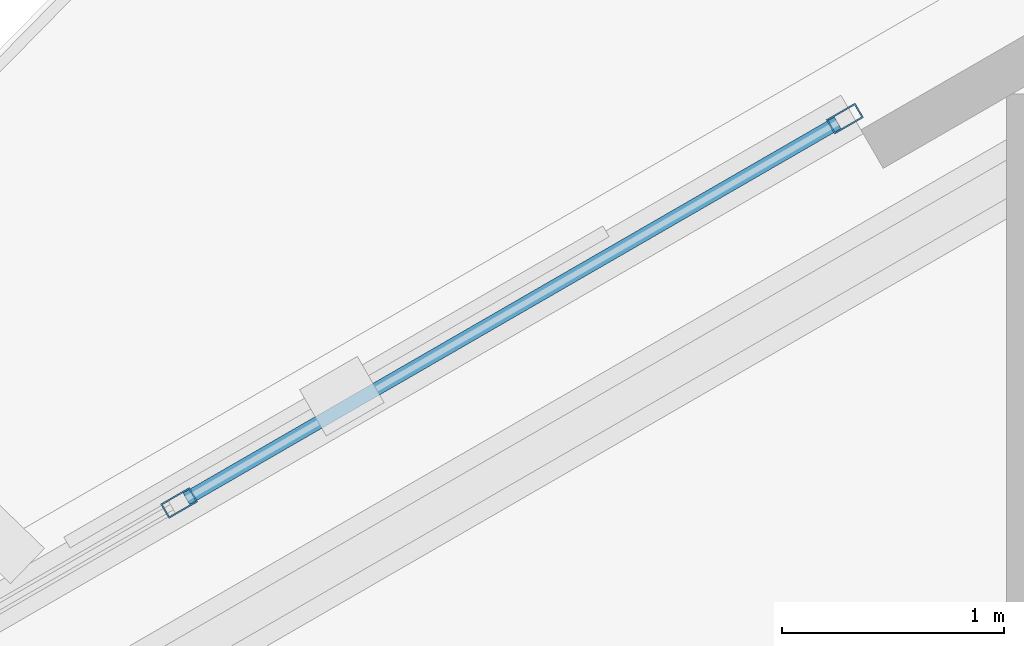
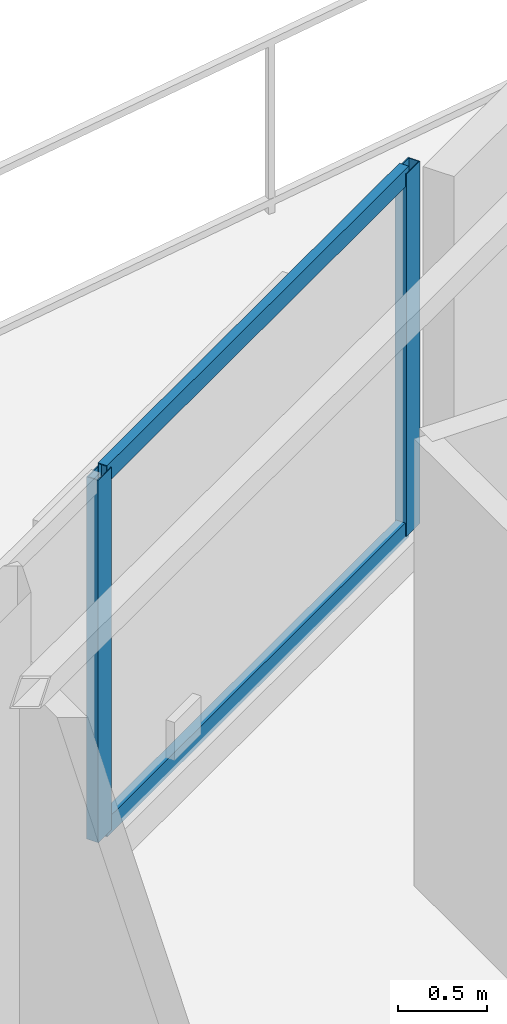
# One storey, part 10 of 19: 4 members, 1 element without a shape of its own.
"""IFC4 building model written with IfcOpenShell, lengths in metres."""

from ifc_helpers import new_model, si_unit, direction, frame, origin, origin_2d, place, context, subcontext, project, spatial, hollow_rectangle, extrude, material, layer, layer_set, material_profile, profile_set, type_object, element, aggregate, save


model = new_model("IFC4")

# Units and contexts
model_context = context("Model", 3, precision=1e-05, world=origin(), true_north=direction((0.0, 1.0)))
body_context = subcontext(model_context, "Body", "Model", "MODEL_VIEW")
ifc_project = project(units=[si_unit("LENGTHUNIT", "METRE"), si_unit("AREAUNIT", "SQUARE_METRE"), si_unit("VOLUMEUNIT", "CUBIC_METRE"), si_unit("PLANEANGLEUNIT", "RADIAN"), si_unit("MASSUNIT", "GRAM", prefix="KILO")], contexts=[model_context])

# Site, building, storey
site_placement = place(None, origin())
site = spatial("IfcSite", under=ifc_project, at=site_placement, CompositionType="ELEMENT")
building_placement = place(site_placement, origin())
building = spatial("IfcBuilding", under=site, at=building_placement, Name="Mersakhor Tower and Convention Hall", CompositionType="ELEMENT")
storey_placement = place(building_placement, frame((0.0, 0.0, 141.0)))
storey = spatial("IfcBuildingStorey", under=building, at=storey_placement, Name="L39", CompositionType="ELEMENT", Elevation=141.0)

# Curtain wall, members
ifc_material_1 = material(Name="Dark solar low-E aluminium curtain wall", Category="aluminium")
ifc_layer = layer(ifc_material_1, 0.169921875)
ifc_layer_set = layer_set([ifc_layer], Name="Dark solar low-E aluminium curtain wall")
curtain_wall_type = type_object("IfcCurtainWallType", Name="CW-SYS-02", PredefinedType="USERDEFINED", material=ifc_layer_set)
curtain_wall_placement = place(storey_placement, origin())
curtain_wall = element("IfcCurtainWall", 1, at=curtain_wall_placement, inside=storey, type_object=curtain_wall_type, Name="L39 Dark-Glass Curtain Wall F1-B2", ObjectType="CURTAIN WALL", PredefinedType="USERDEFINED")
ifc_material_2 = material(Name="Anodised aluminium EN AW-6063 T6", Category="aluminium")
ifc_material_profile_1 = material_profile(ifc_material_2, hollow_rectangle(XDim=0.074951171875, YDim=0.14990234375, WallThickness=0.00634765625, at=origin_2d()), Name="RHS 150x75x6.3")
ifc_profile_set_1 = profile_set([ifc_material_profile_1], Name="Anodised aluminium EN AW-6063 T6")
member_type_1 = type_object("IfcMemberType", Name="CWM-150x75", PredefinedType="MULLION", material=ifc_profile_set_1)
member_1_placement = place(storey_placement, frame((23.904052734375, 39.072021484375, 0.199951171875), z_axis=(0.0, 0.0, 1.0), x_axis=(-0.499990468363, 0.866030906807, 0.0)))
member_1 = element("IfcMember", 2, at=member_1_placement, type_object=member_type_1, Name="CW-02 mullion 3", PredefinedType="MULLION", context=body_context, shape_type="SweptSolid", body=[
    extrude(hollow_rectangle(XDim=0.074951171875, YDim=0.14990234375, WallThickness=0.00634765625, at=origin_2d()), origin(), (0.0, 0.0, 1.0), 2.47998046875),
])
member_2_placement = place(storey_placement, frame((26.8984375, 40.80078125, 0.199951171875), z_axis=(0.0, 0.0, 1.0), x_axis=(-0.499990468363, 0.866030906807, 0.0)))
member_2 = element("IfcMember", 3, at=member_2_placement, type_object=member_type_1, Name="CW-02 mullion 4", PredefinedType="MULLION", context=body_context, shape_type="SweptSolid", body=[
    extrude(hollow_rectangle(XDim=0.074951171875, YDim=0.14990234375, WallThickness=0.00634765625, at=origin_2d()), origin(), (0.0, 0.0, 1.0), 2.47998046875),
])
ifc_material_3 = material(Name="Anodised aluminium EN AW-6063 T6", Category="aluminium")
ifc_material_profile_2 = material_profile(ifc_material_3, hollow_rectangle(XDim=0.06005859375, YDim=0.1201171875, WallThickness=0.0048828125, at=origin_2d()), Name="RHS 120x60x5")
ifc_profile_set_2 = profile_set([ifc_material_profile_2], Name="Anodised aluminium EN AW-6063 T6")
member_type_2 = type_object("IfcMemberType", Name="CWT-120x60", PredefinedType="USERDEFINED", material=ifc_profile_set_2)
member_3_placement = place(storey_placement, frame((23.9365234375, 39.0908203125, 0.22998046875), z_axis=(0.866044963944, 0.49996611928, 0.0), x_axis=(-0.49996611928, 0.866044963944, 0.0)))
member_3 = element("IfcMember", 4, at=member_3_placement, type_object=member_type_2, Name="CW-02 transom 3.1", ObjectType="TRANSOM", PredefinedType="USERDEFINED", context=body_context, shape_type="SweptSolid", body=[
    extrude(hollow_rectangle(XDim=0.06005859375, YDim=0.1201171875, WallThickness=0.0048828125, at=origin_2d()), origin(), (0.0, 0.0, 1.0), 3.382568359375),
])
member_4_placement = place(storey_placement, frame((23.9365234375, 39.0908203125, 2.64990234375), z_axis=(0.866044963944, 0.49996611928, 0.0), x_axis=(-0.49996611928, 0.866044963944, 0.0)))
member_4 = element("IfcMember", 5, at=member_4_placement, type_object=member_type_2, Name="CW-02 transom 3.2", ObjectType="TRANSOM", PredefinedType="USERDEFINED", context=body_context, shape_type="SweptSolid", body=[
    extrude(hollow_rectangle(XDim=0.06005859375, YDim=0.1201171875, WallThickness=0.0048828125, at=origin_2d()), origin(), (0.0, 0.0, 1.0), 3.382568359375),
])
aggregate(curtain_wall, [member_1, member_2, member_3, member_4])

save(model, "model.ifc")
